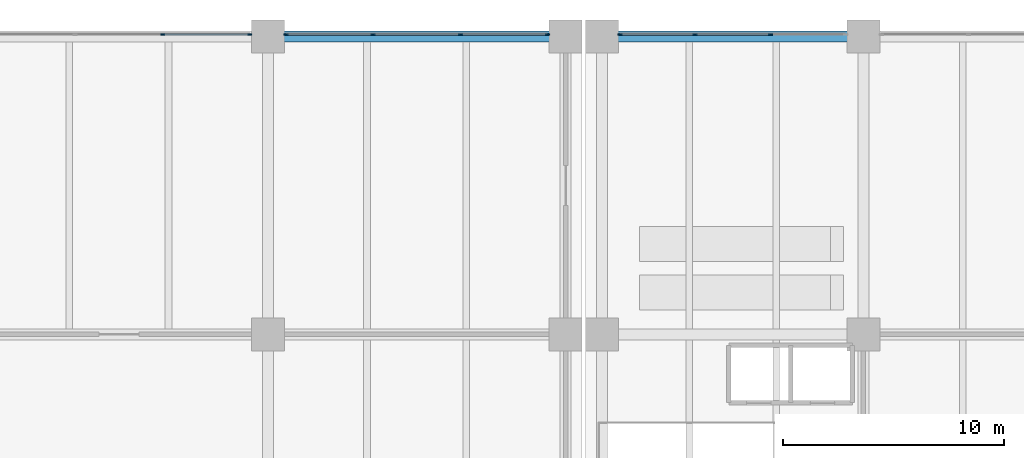
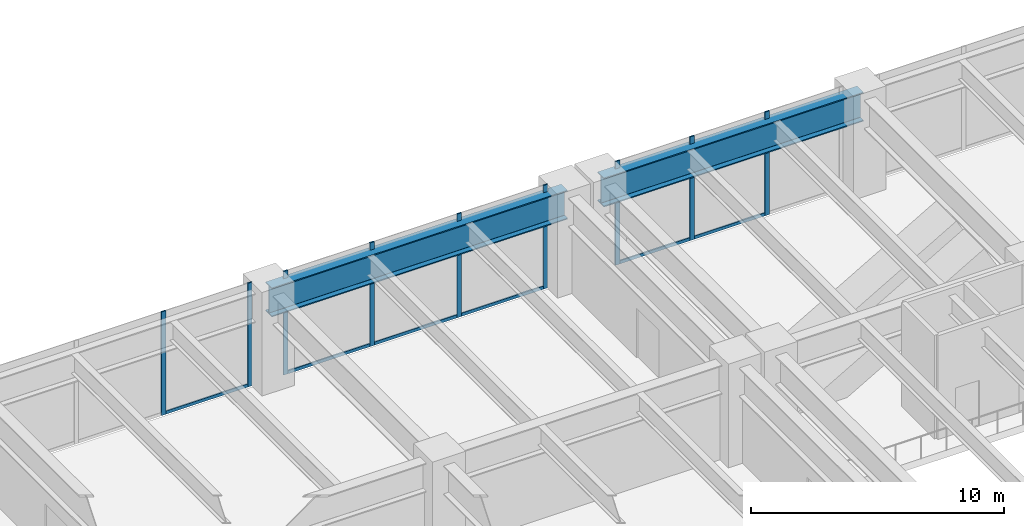
# One storey, part 15 of 32: 15 members, 2 beams, 3 elements without a shape of their own.
"""IFC4 building model written with IfcOpenShell, lengths in metres."""

from ifc_helpers import new_model, si_unit, direction, frame, origin, origin_2d, place, context, subcontext, project, spatial, rectangle, i_section, extrude, material, material_profile, profile_set, type_object, element, aggregate, save


model = new_model("IFC4")

# Units and contexts
model_context = context("Model", 3, precision=1e-05, world=origin(), true_north=direction((0.0, 1.0)))
body_context = subcontext(model_context, "Body", "Model", "MODEL_VIEW")
ifc_project = project(units=[si_unit("LENGTHUNIT", "METRE"), si_unit("AREAUNIT", "SQUARE_METRE"), si_unit("VOLUMEUNIT", "CUBIC_METRE"), si_unit("PLANEANGLEUNIT", "RADIAN"), si_unit("MASSUNIT", "GRAM", prefix="KILO")], contexts=[model_context])

# Site, building, storey
site_placement = place(None, origin())
site = spatial("IfcSite", under=ifc_project, at=site_placement, CompositionType="ELEMENT")
building_placement = place(site_placement, origin())
building = spatial("IfcBuilding", under=site, at=building_placement, Name="Upepo Twin Towers", CompositionType="ELEMENT")
storey_placement = place(building_placement, frame((0.0, 0.0, 5.5)))
storey = spatial("IfcBuildingStorey", under=building, at=storey_placement, Name="L01", CompositionType="ELEMENT", Elevation=5.5)

# Beams
ifc_material_1 = material(Name="Steel S355", Category="steel")
ifc_material_profile_1 = material_profile(ifc_material_1, i_section(OverallWidth=0.5, OverallDepth=1.39990234375, WebThickness=0.02490234375, FlangeThickness=0.050048828125, FilletRadius=0.008056640625, at=origin_2d()), Name="PG 1400x500x25x50")
ifc_profile_set_1 = profile_set([ifc_material_profile_1], Name="Steel S355")
beam_type = type_object("IfcBeamType", Name="Beam PG 1400x500x25x50", PredefinedType="BEAM", material=ifc_profile_set_1)
beam_1_placement = place(storey_placement, frame((13.5, 40.5, 3.949951171875), z_axis=(1.0, 0.0, 0.0), x_axis=(0.0, 1.0, 0.0)))
element("IfcBeam", 1, at=beam_1_placement, inside=storey, type_object=beam_type, Name="Podium girder G/4-5", PredefinedType="BEAM", context=body_context, shape_type="SweptSolid", body=[
    extrude(i_section(OverallWidth=0.5, OverallDepth=1.39990234375, WebThickness=0.02490234375, FlangeThickness=0.050048828125, FilletRadius=0.008056640625, at=origin_2d()), origin(), (0.0, 0.0, 1.0), 13.5),
])
beam_2_placement = place(storey_placement, frame((28.64990234375, 40.5, 3.949951171875), z_axis=(1.0, 0.0, 0.0), x_axis=(0.0, 1.0, 0.0)))
element("IfcBeam", 2, at=beam_2_placement, inside=storey, type_object=beam_type, Name="Podium girder G/5a-6", PredefinedType="BEAM", context=body_context, shape_type="SweptSolid", body=[
    extrude(i_section(OverallWidth=0.5, OverallDepth=1.39990234375, WebThickness=0.02490234375, FlangeThickness=0.050048828125, FilletRadius=0.008056640625, at=origin_2d()), origin(), (0.0, 0.0, 1.0), 11.85009765625),
])

# Curtain wall, members
ifc_material_2 = material(Name="Aluminium and clear glass", Category="aluminium")
curtain_wall_type = type_object("IfcCurtainWallType", Name="Podium curtain wall PW1", PredefinedType="NOTDEFINED", material=ifc_material_2)
curtain_wall_1_placement = place(storey_placement, origin())
curtain_wall_1 = element("IfcCurtainWall", 3, at=curtain_wall_1_placement, inside=storey, type_object=curtain_wall_type, Name="Podium L01 curtain wall N5", PredefinedType="NOTDEFINED")
ifc_material_3 = material(Name="Aluminium mullion", Category="aluminium")
ifc_material_profile_2 = material_profile(ifc_material_3, rectangle(XDim=0.06494140625, YDim=0.199951171875, at=origin_2d()), Name="MULLION 65x200 PODIUM")
ifc_profile_set_2 = profile_set([ifc_material_profile_2], Name="Aluminium mullion")
member_type_1 = type_object("IfcMemberType", Name="Mullion 65x200 PW1", PredefinedType="MULLION", material=ifc_profile_set_2)
member_1_placement = place(storey_placement, frame((36.288330078125, 40.60009765625, 0.0), z_axis=(0.0, 0.0, 1.0), x_axis=(0.0, -1.0, 0.0)))
member_1 = element("IfcMember", 4, at=member_1_placement, type_object=member_type_1, Name="Podium L01 curtain wall N5 mullion 2", PredefinedType="MULLION", context=body_context, shape_type="SweptSolid", body=[
    extrude(rectangle(XDim=0.06494140625, YDim=0.199951171875, at=origin_2d()), origin(), (0.0, 0.0, 1.0), 5.0),
])
member_2_placement = place(storey_placement, frame((32.861572265625, 40.60009765625, 0.0), z_axis=(0.0, 0.0, 1.0), x_axis=(0.0, -1.0, 0.0)))
member_2 = element("IfcMember", 5, at=member_2_placement, type_object=member_type_1, Name="Podium L01 curtain wall N5 mullion 3", PredefinedType="MULLION", context=body_context, shape_type="SweptSolid", body=[
    extrude(rectangle(XDim=0.06494140625, YDim=0.199951171875, at=origin_2d()), origin(), (0.0, 0.0, 1.0), 5.0),
])
member_3_placement = place(storey_placement, frame((29.467529296875, 40.60009765625, 0.0), z_axis=(0.0, 0.0, 1.0), x_axis=(0.0, -1.0, 0.0)))
member_3 = element("IfcMember", 6, at=member_3_placement, type_object=member_type_1, Name="Podium L01 curtain wall N5 mullion 4", PredefinedType="MULLION", context=body_context, shape_type="SweptSolid", body=[
    extrude(rectangle(XDim=0.06494140625, YDim=0.199951171875, at=origin_2d()), origin(), (0.0, 0.0, 1.0), 5.0),
])

curtain_wall_2_placement = place(storey_placement, origin())
curtain_wall_2 = element("IfcCurtainWall", 7, at=curtain_wall_2_placement, inside=storey, type_object=curtain_wall_type, Name="Podium L01 curtain wall N6", PredefinedType="NOTDEFINED")
member_4_placement = place(storey_placement, frame((26.1826171875, 40.60009765625, 0.0), z_axis=(0.0, 0.0, 1.0), x_axis=(0.0, -1.0, 0.0)))
member_4 = element("IfcMember", 8, at=member_4_placement, type_object=member_type_1, Name="Podium L01 curtain wall N6 mullion 1", PredefinedType="MULLION", context=body_context, shape_type="SweptSolid", body=[
    extrude(rectangle(XDim=0.06494140625, YDim=0.199951171875, at=origin_2d()), origin(), (0.0, 0.0, 1.0), 5.0),
])
member_5_placement = place(storey_placement, frame((22.23828125, 40.60009765625, 0.0), z_axis=(0.0, 0.0, 1.0), x_axis=(0.0, -1.0, 0.0)))
member_5 = element("IfcMember", 9, at=member_5_placement, type_object=member_type_1, Name="Podium L01 curtain wall N6 mullion 2", PredefinedType="MULLION", context=body_context, shape_type="SweptSolid", body=[
    extrude(rectangle(XDim=0.06494140625, YDim=0.199951171875, at=origin_2d()), origin(), (0.0, 0.0, 1.0), 5.0),
])
member_6_placement = place(storey_placement, frame((18.26171875, 40.60009765625, 0.0), z_axis=(0.0, 0.0, 1.0), x_axis=(0.0, -1.0, 0.0)))
member_6 = element("IfcMember", 10, at=member_6_placement, type_object=member_type_1, Name="Podium L01 curtain wall N6 mullion 3", PredefinedType="MULLION", context=body_context, shape_type="SweptSolid", body=[
    extrude(rectangle(XDim=0.06494140625, YDim=0.199951171875, at=origin_2d()), origin(), (0.0, 0.0, 1.0), 5.0),
])
member_7_placement = place(storey_placement, frame((14.3173828125, 40.60009765625, 0.0), z_axis=(0.0, 0.0, 1.0), x_axis=(0.0, -1.0, 0.0)))
member_7 = element("IfcMember", 11, at=member_7_placement, type_object=member_type_1, Name="Podium L01 curtain wall N6 mullion 4", PredefinedType="MULLION", context=body_context, shape_type="SweptSolid", body=[
    extrude(rectangle(XDim=0.06494140625, YDim=0.199951171875, at=origin_2d()), origin(), (0.0, 0.0, 1.0), 5.0),
])

curtain_wall_3_placement = place(storey_placement, origin())
curtain_wall_3 = element("IfcCurtainWall", 12, at=curtain_wall_3_placement, inside=storey, type_object=curtain_wall_type, Name="Podium L01 curtain wall N7", PredefinedType="NOTDEFINED")
member_8_placement = place(storey_placement, frame((12.6826171875, 40.60009765625, 0.0), z_axis=(0.0, 0.0, 1.0), x_axis=(0.0, -1.0, 0.0)))
member_8 = element("IfcMember", 13, at=member_8_placement, type_object=member_type_1, Name="Podium L01 curtain wall N7 mullion 1", PredefinedType="MULLION", context=body_context, shape_type="SweptSolid", body=[
    extrude(rectangle(XDim=0.06494140625, YDim=0.199951171875, at=origin_2d()), origin(), (0.0, 0.0, 1.0), 5.0),
])
member_9_placement = place(storey_placement, frame((8.73828125, 40.60009765625, 0.0), z_axis=(0.0, 0.0, 1.0), x_axis=(0.0, -1.0, 0.0)))
member_9 = element("IfcMember", 14, at=member_9_placement, type_object=member_type_1, Name="Podium L01 curtain wall N7 mullion 2", PredefinedType="MULLION", context=body_context, shape_type="SweptSolid", body=[
    extrude(rectangle(XDim=0.06494140625, YDim=0.199951171875, at=origin_2d()), origin(), (0.0, 0.0, 1.0), 5.0),
])

# Member
ifc_material_4 = material(Name="Aluminium transom", Category="aluminium")
ifc_material_profile_3 = material_profile(ifc_material_4, rectangle(XDim=0.06494140625, YDim=0.14990234375, at=origin_2d()), Name="TRANSOM 65x150 PODIUM")
ifc_profile_set_3 = profile_set([ifc_material_profile_3], Name="Aluminium transom")
member_type_2 = type_object("IfcMemberType", Name="Transom 65x150 PW1", PredefinedType="USERDEFINED", material=ifc_profile_set_3)
member_10_placement = place(storey_placement, frame((36.255859375, 40.60009765625, 0.074951171875), z_axis=(-1.0, 0.0, 0.0), x_axis=(0.0, -1.0, 0.0)))
member_10 = element("IfcMember", 15, at=member_10_placement, type_object=member_type_2, Name="Podium L01 curtain wall N5 transom 2", ObjectType="TRANSOM", PredefinedType="USERDEFINED", context=body_context, shape_type="SweptSolid", body=[
    extrude(rectangle(XDim=0.06494140625, YDim=0.14990234375, at=origin_2d()), origin(), (0.0, 0.0, 1.0), 3.361572265625),
])

member_11_placement = place(storey_placement, frame((32.8291015625, 40.60009765625, 0.074951171875), z_axis=(-1.0, 0.0, 0.0), x_axis=(0.0, -1.0, 0.0)))
member_11 = element("IfcMember", 16, at=member_11_placement, type_object=member_type_2, Name="Podium L01 curtain wall N5 transom 3", ObjectType="TRANSOM", PredefinedType="USERDEFINED", context=body_context, shape_type="SweptSolid", body=[
    extrude(rectangle(XDim=0.06494140625, YDim=0.14990234375, at=origin_2d()), origin(), (0.0, 0.0, 1.0), 3.3291015625),
])

aggregate(curtain_wall_1, [member_1, member_2, member_3, member_10, member_11])

member_12_placement = place(storey_placement, frame((26.14990234375, 40.60009765625, 0.074951171875), z_axis=(-1.0, 0.0, 0.0), x_axis=(0.0, -1.0, 0.0)))
member_12 = element("IfcMember", 17, at=member_12_placement, type_object=member_type_2, Name="Podium L01 curtain wall N6 transom 1", ObjectType="TRANSOM", PredefinedType="USERDEFINED", context=body_context, shape_type="SweptSolid", body=[
    extrude(rectangle(XDim=0.06494140625, YDim=0.14990234375, at=origin_2d()), origin(), (0.0, 0.0, 1.0), 3.879150390625),
])

member_13_placement = place(storey_placement, frame((22.205810546875, 40.60009765625, 0.074951171875), z_axis=(-1.0, 0.0, 0.0), x_axis=(0.0, -1.0, 0.0)))
member_13 = element("IfcMember", 18, at=member_13_placement, type_object=member_type_2, Name="Podium L01 curtain wall N6 transom 2", ObjectType="TRANSOM", PredefinedType="USERDEFINED", context=body_context, shape_type="SweptSolid", body=[
    extrude(rectangle(XDim=0.06494140625, YDim=0.14990234375, at=origin_2d()), origin(), (0.0, 0.0, 1.0), 3.91162109375),
])

member_14_placement = place(storey_placement, frame((18.229248046875, 40.60009765625, 0.074951171875), z_axis=(-1.0, 0.0, 0.0), x_axis=(0.0, -1.0, 0.0)))
member_14 = element("IfcMember", 19, at=member_14_placement, type_object=member_type_2, Name="Podium L01 curtain wall N6 transom 3", ObjectType="TRANSOM", PredefinedType="USERDEFINED", context=body_context, shape_type="SweptSolid", body=[
    extrude(rectangle(XDim=0.06494140625, YDim=0.14990234375, at=origin_2d()), origin(), (0.0, 0.0, 1.0), 3.879150390625),
])

aggregate(curtain_wall_2, [member_4, member_5, member_6, member_7, member_12, member_13, member_14])

member_15_placement = place(storey_placement, frame((12.64990234375, 40.60009765625, 0.074951171875), z_axis=(-1.0, 0.0, 0.0), x_axis=(0.0, -1.0, 0.0)))
member_15 = element("IfcMember", 20, at=member_15_placement, type_object=member_type_2, Name="Podium L01 curtain wall N7 transom 1", ObjectType="TRANSOM", PredefinedType="USERDEFINED", context=body_context, shape_type="SweptSolid", body=[
    extrude(rectangle(XDim=0.06494140625, YDim=0.14990234375, at=origin_2d()), origin(), (0.0, 0.0, 1.0), 3.879150390625),
])

aggregate(curtain_wall_3, [member_8, member_9, member_15])

save(model, "model.ifc")
